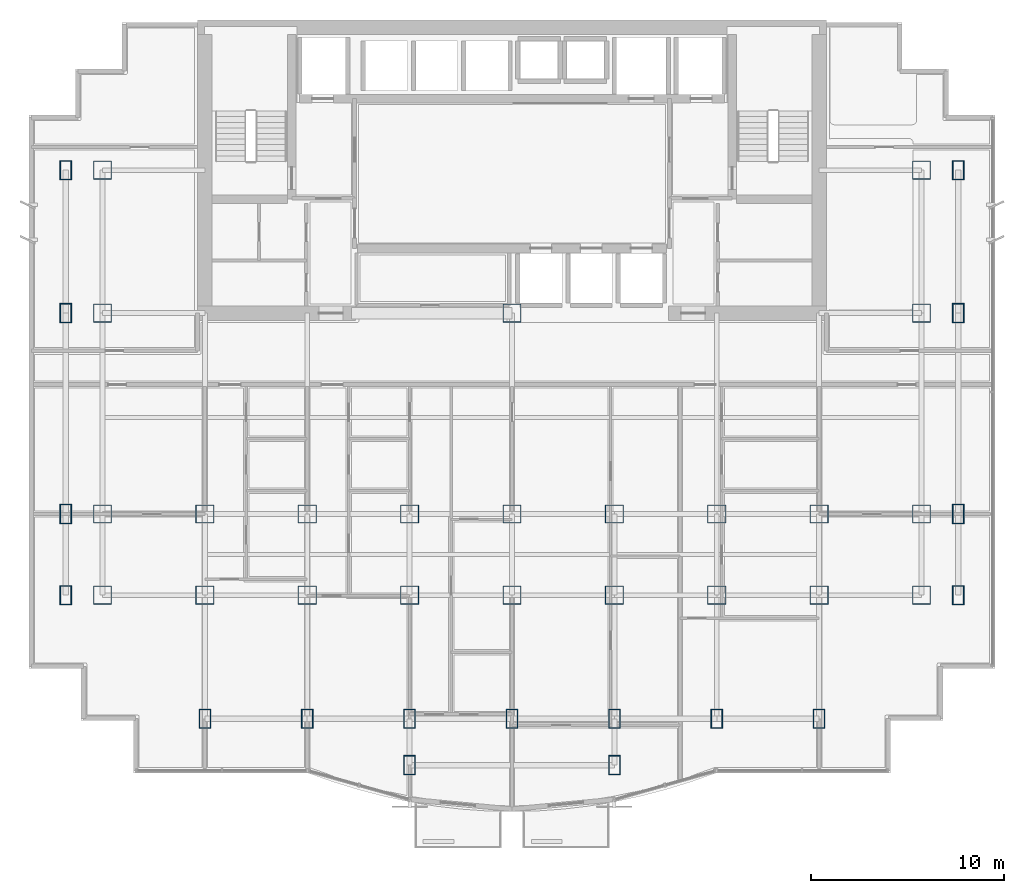
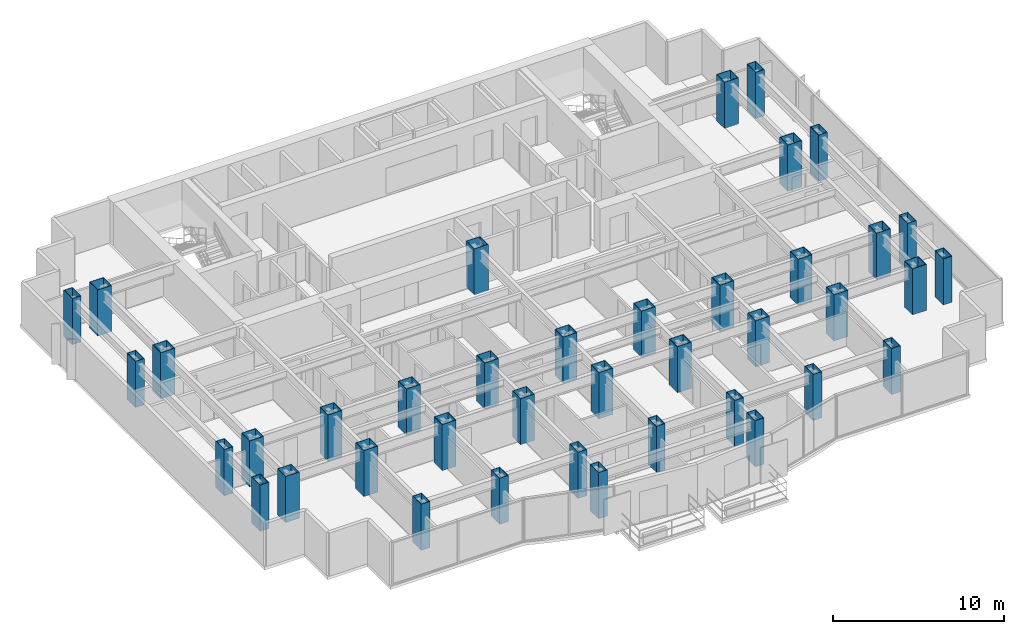
# One storey, part 1 of 12: 40 columns.
"""IFC4 building model written with IfcOpenShell, lengths in metres."""

from ifc_helpers import new_model, si_unit, direction, frame, origin, origin_2d, place, context, subcontext, project, spatial, hollow_rectangle, extrude, material, material_profile, profile_set, type_object, element, save


model = new_model("IFC4")

# Units and contexts
model_context = context("Model", 3, precision=1e-05, world=origin(), true_north=direction((0.0, 1.0)))
body_context = subcontext(model_context, "Body", "Model", "MODEL_VIEW")
ifc_project = project(units=[si_unit("LENGTHUNIT", "METRE"), si_unit("AREAUNIT", "SQUARE_METRE"), si_unit("VOLUMEUNIT", "CUBIC_METRE"), si_unit("PLANEANGLEUNIT", "RADIAN"), si_unit("MASSUNIT", "GRAM", prefix="KILO")], contexts=[model_context])

# Site, building, storey
site_placement = place(None, origin())
site = spatial("IfcSite", under=ifc_project, at=site_placement, CompositionType="ELEMENT")
building_placement = place(site_placement, origin())
building = spatial("IfcBuilding", under=site, at=building_placement, Name="Qianlan Lanfeng Residences", CompositionType="ELEMENT")
storey_placement = place(building_placement, frame((0.0, 0.0, 121.300048828125)))
storey = spatial("IfcBuildingStorey", under=building, at=storey_placement, Name="L33", CompositionType="ELEMENT", Elevation=121.300048828125)

# Columns
ifc_material = material(Name="Steel SN490B", Category="steel")
ifc_material_profile_1 = material_profile(ifc_material, hollow_rectangle(XDim=0.949951171875, YDim=0.949951171875, WallThickness=0.031982421875, at=origin_2d()), Name="BOX 950x950x32")
ifc_profile_set_1 = profile_set([ifc_material_profile_1], Name="Steel SN490B")
column_type_1 = type_object("IfcColumnType", Name="C-B1100", PredefinedType="COLUMN", material=ifc_profile_set_1)
for number, where, z_axis, x_axis, name in (
    (1, (26.5, 25.199951171875, 0.0), (0.0, 0.0, 1.0), (1.0, 0.0, 0.0), "L33 Structural Column CP_26.5_25.2"),
    (2, (10.60009765625, 14.800048828125, 0.0), (0.0, 0.0, 1.0), (1.0, 0.0, 0.0), "L33 Structural Column M_10.60_14.80"),
    (3, (10.60009765625, 10.60009765625, 0.0), (0.0, 0.0, 1.0), (1.0, 0.0, 0.0), "L33 Structural Column G_10.60_10.60"),
    (4, (15.89990234375, 14.800048828125, 0.0), (0.0, 0.0, 1.0), (1.0, 0.0, 0.0), "L33 Structural Column M_15.90_14.80"),
    (5, (15.89990234375, 10.60009765625, 0.0), (0.0, 0.0, 1.0), (1.0, 0.0, 0.0), "L33 Structural Column G_15.90_10.60"),
    (6, (21.199951171875, 14.800048828125, 0.0), (0.0, 0.0, 1.0), (1.0, 0.0, 0.0), "L33 Structural Column M_21.20_14.80"),
    (7, (21.199951171875, 10.60009765625, 0.0), (0.0, 0.0, 1.0), (1.0, 0.0, 0.0), "L33 Structural Column G_21.20_10.60"),
    (8, (26.5, 14.800048828125, 0.0), (0.0, 0.0, 1.0), (1.0, 0.0, 0.0), "L33 Structural Column M_26.50_14.80"),
    (9, (26.5, 10.60009765625, 0.0), (0.0, 0.0, 1.0), (1.0, 0.0, 0.0), "L33 Structural Column G_26.50_10.60"),
    (10, (31.800048828125, 14.800048828125, 0.0), (0.0, 0.0, 1.0), (1.0, 0.0, 0.0), "L33 Structural Column M_31.80_14.80"),
    (11, (31.800048828125, 10.60009765625, 0.0), (0.0, 0.0, 1.0), (1.0, 0.0, 0.0), "L33 Structural Column G_31.80_10.60"),
    (12, (37.10009765625, 14.800048828125, 0.0), (0.0, 0.0, 1.0), (1.0, 0.0, 0.0), "L33 Structural Column M_37.10_14.80"),
    (13, (37.10009765625, 10.60009765625, 0.0), (0.0, 0.0, 1.0), (1.0, 0.0, 0.0), "L33 Structural Column G_37.10_10.60"),
    (14, (42.39990234375, 14.800048828125, 0.0), (0.0, 0.0, 1.0), (1.0, 0.0, 0.0), "L33 Structural Column M_42.40_14.80"),
    (15, (42.39990234375, 10.60009765625, 0.0), (0.0, 0.0, 1.0), (1.0, 0.0, 0.0), "L33 Structural Column G_42.40_10.60"),
    (16, (5.300048828125, 10.60009765625, 0.0), (0.0, 0.0, 1.0), (1.0, 0.0, 0.0), "L33 Structural Column W_5.30_10.60"),
    (17, (5.300048828125, 14.800048828125, 0.0), (0.0, 0.0, 1.0), (1.0, 0.0, 0.0), "L33 Structural Column W_5.30_14.80"),
    (18, (5.300048828125, 25.199951171875, 0.0), (0.0, 0.0, 1.0), (1.0, 0.0, 0.0), "L33 Structural Column W_5.30_25.20"),
    (19, (5.300048828125, 32.60009765625, 0.0), (0.0, 0.0, 1.0), (1.0, 0.0, 0.0), "L33 Structural Column W_5.30_32.60"),
    (20, (47.699951171875, 10.60009765625, 0.0), (0.0, 0.0, 1.0), (1.0, 0.0, 0.0), "L33 Structural Column W_47.70_10.60"),
    (21, (47.699951171875, 14.800048828125, 0.0), (0.0, 0.0, 1.0), (1.0, 0.0, 0.0), "L33 Structural Column W_47.70_14.80"),
    (22, (47.699951171875, 25.199951171875, 0.0), (0.0, 0.0, 1.0), (1.0, 0.0, 0.0), "L33 Structural Column W_47.70_25.20"),
    (23, (47.699951171875, 32.60009765625, 0.0), (0.0, 0.0, 1.0), (1.0, 0.0, 0.0), "L33 Structural Column W_47.70_32.60"),
):
    element("IfcColumn", number, at=place(storey_placement, frame(where, z_axis=z_axis, x_axis=x_axis)), inside=storey, type_object=column_type_1, Name=name, PredefinedType="COLUMN", context=body_context, shape_type="SweptSolid", body=[
        extrude(hollow_rectangle(XDim=0.949951171875, YDim=0.949951171875, WallThickness=0.031982421875, at=origin_2d()), origin(), (0.0, 0.0, 1.0), 3.300048828125),
    ])
ifc_material_profile_2 = material_profile(ifc_material, hollow_rectangle(XDim=0.60009765625, YDim=1.0, WallThickness=0.031982421875, at=origin_2d()), Name="BOX 1000x600x32")
ifc_profile_set_2 = profile_set([ifc_material_profile_2], Name="Steel SN490B")
column_type_2 = type_object("IfcColumnType", Name="CE-B1100", PredefinedType="COLUMN", material=ifc_profile_set_2)
for number, where, z_axis, x_axis, name in (
    (24, (21.199951171875, 1.800048828125, 0.0), (0.0, 0.0, 1.0), (1.0, 0.0, 0.0), "L33 Structural Column P_21.20_1.80"),
    (25, (31.800048828125, 1.800048828125, 0.0), (0.0, 0.0, 1.0), (1.0, 0.0, 0.0), "L33 Structural Column P_31.80_1.80"),
    (26, (10.60009765625, 4.199951171875, 0.0), (0.0, 0.0, 1.0), (1.0, 0.0, 0.0), "L33 Structural Column S_10.60_4.20"),
    (27, (15.89990234375, 4.199951171875, 0.0), (0.0, 0.0, 1.0), (1.0, 0.0, 0.0), "L33 Structural Column S_15.90_4.20"),
    (28, (21.199951171875, 4.199951171875, 0.0), (0.0, 0.0, 1.0), (1.0, 0.0, 0.0), "L33 Structural Column S_21.20_4.20"),
    (29, (26.5, 4.199951171875, 0.0), (0.0, 0.0, 1.0), (1.0, 0.0, 0.0), "L33 Structural Column S_26.50_4.20"),
    (30, (31.800048828125, 4.199951171875, 0.0), (0.0, 0.0, 1.0), (1.0, 0.0, 0.0), "L33 Structural Column S_31.80_4.20"),
    (31, (37.10009765625, 4.199951171875, 0.0), (0.0, 0.0, 1.0), (1.0, 0.0, 0.0), "L33 Structural Column S_37.10_4.20"),
    (32, (42.39990234375, 4.199951171875, 0.0), (0.0, 0.0, 1.0), (1.0, 0.0, 0.0), "L33 Structural Column S_42.40_4.20"),
    (33, (3.39990234375, 10.60009765625, 0.0), (0.0, 0.0, 1.0), (1.0, 0.0, 0.0), "L33 Structural Column W_3.40_10.60"),
    (34, (3.39990234375, 14.800048828125, 0.0), (0.0, 0.0, 1.0), (1.0, 0.0, 0.0), "L33 Structural Column W_3.40_14.80"),
    (35, (3.39990234375, 25.199951171875, 0.0), (0.0, 0.0, 1.0), (1.0, 0.0, 0.0), "L33 Structural Column W_3.40_25.20"),
    (36, (3.39990234375, 32.60009765625, 0.0), (0.0, 0.0, 1.0), (1.0, 0.0, 0.0), "L33 Structural Column W_3.40_32.60"),
    (37, (49.60009765625, 10.60009765625, 0.0), (0.0, 0.0, 1.0), (1.0, 0.0, 0.0), "L33 Structural Column W_49.60_10.60"),
    (38, (49.60009765625, 14.800048828125, 0.0), (0.0, 0.0, 1.0), (1.0, 0.0, 0.0), "L33 Structural Column W_49.60_14.80"),
    (39, (49.60009765625, 25.199951171875, 0.0), (0.0, 0.0, 1.0), (1.0, 0.0, 0.0), "L33 Structural Column W_49.60_25.20"),
    (40, (49.60009765625, 32.60009765625, 0.0), (0.0, 0.0, 1.0), (1.0, 0.0, 0.0), "L33 Structural Column W_49.60_32.60"),
):
    element("IfcColumn", number, at=place(storey_placement, frame(where, z_axis=z_axis, x_axis=x_axis)), inside=storey, type_object=column_type_2, Name=name, PredefinedType="COLUMN", context=body_context, shape_type="SweptSolid", body=[
        extrude(hollow_rectangle(XDim=0.60009765625, YDim=1.0, WallThickness=0.031982421875, at=origin_2d()), origin(), (0.0, 0.0, 1.0), 3.300048828125),
    ])

save(model, "model.ifc")
